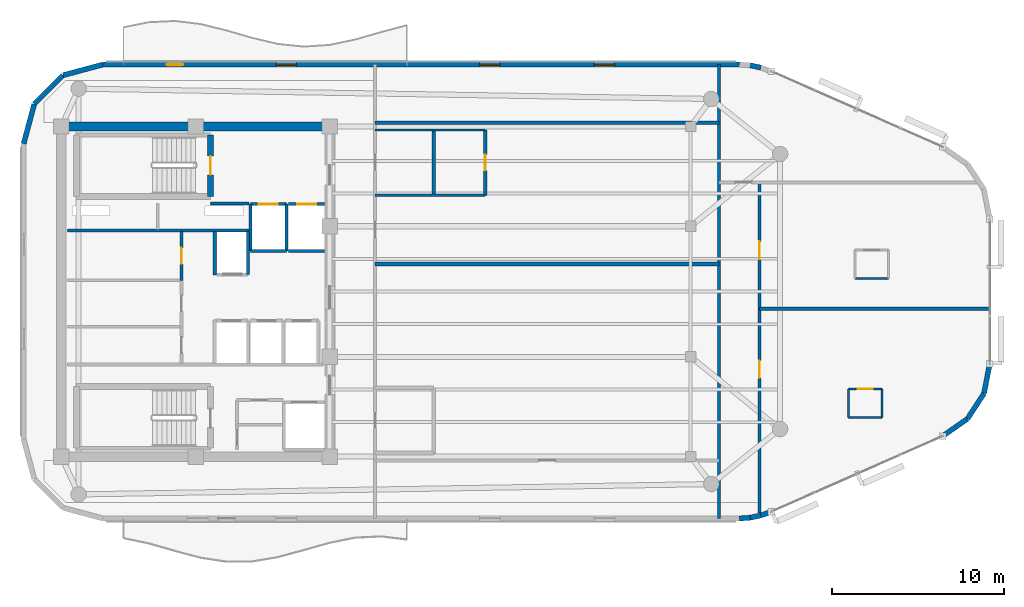
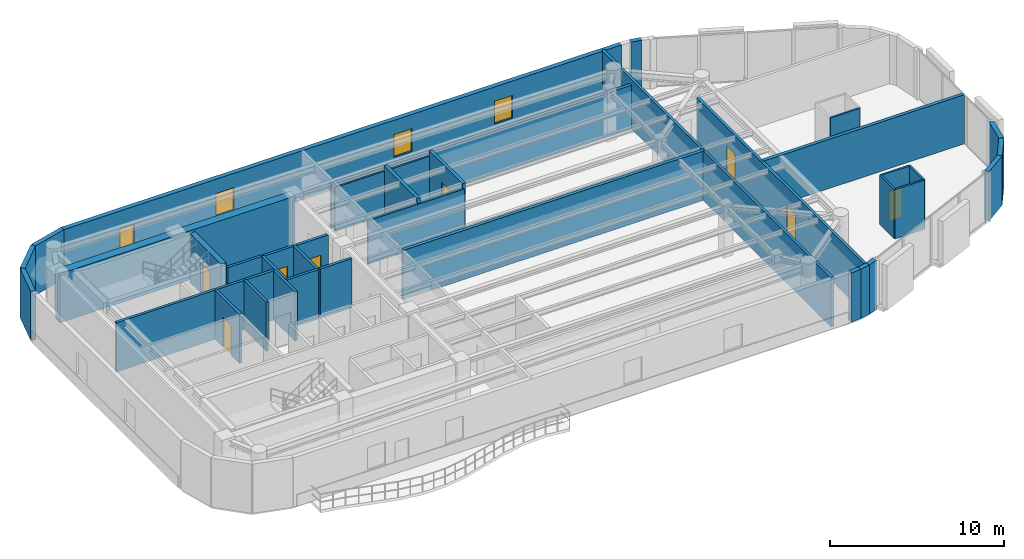
# One storey, part 9 of 12: 38 walls, 9 doors, 3 windows, 12 openings.
"""IFC4 building model written with IfcOpenShell, lengths in metres."""

from ifc_helpers import new_model, si_unit, direction, frame, frame_2d, origin, place, context, subcontext, project, spatial, rectangle, extrude, material, layer, layer_set, type_object, element, fill, save


model = new_model("IFC4")

# Units and contexts
model_context = context("Model", 3, precision=1e-05, world=origin(), true_north=direction((0.0, 1.0)))
body_context = subcontext(model_context, "Body", "Model", "MODEL_VIEW")
ifc_project = project(units=[si_unit("LENGTHUNIT", "METRE"), si_unit("AREAUNIT", "SQUARE_METRE"), si_unit("VOLUMEUNIT", "CUBIC_METRE"), si_unit("PLANEANGLEUNIT", "RADIAN"), si_unit("MASSUNIT", "GRAM", prefix="KILO")], contexts=[model_context])

# Site, building, storey
site_placement = place(None, origin())
site = spatial("IfcSite", under=ifc_project, at=site_placement, CompositionType="ELEMENT")
building_placement = place(site_placement, origin())
building = spatial("IfcBuilding", under=site, at=building_placement, Name="An Khanh Terracotta Commons", CompositionType="ELEMENT")
storey_placement = place(building_placement, frame((0.0, 0.0, 262.449951171875)))
storey = spatial("IfcBuildingStorey", under=building, at=storey_placement, Name="L68", CompositionType="ELEMENT", Elevation=262.449951171875)

# Walls
ifc_material_1 = material(Name="Concrete C50/60", Category="concrete")
ifc_layer_1 = layer(ifc_material_1, 0.550048828125, Name="Concrete C50/60")
ifc_layer_set_1 = layer_set([ifc_layer_1], Name="Concrete C50/60")
wall_type_1 = type_object("IfcWallType", Name="WALL-CORE-550", PredefinedType="SHEAR", material=ifc_layer_set_1)
wall_1_placement = place(storey_placement, frame((21.60009765625, 33.60009765625, 0.0), z_axis=(0.0, 0.0, 1.0), x_axis=(1.0, 0.0, 0.0)))
element("IfcWall", 1, at=wall_1_placement, inside=storey, type_object=wall_type_1, Name="L68 Core Wall CWALL-L68-N", PredefinedType="SHEAR", context=body_context, shape_type="SweptSolid", body=[
    extrude(rectangle(XDim=15.599853515625, YDim=0.550048828125, at=frame_2d((7.7998046875, 0.0))), origin(), (0.0, 0.0, 1.0), 3.449951171875),
])
ifc_material_2 = material(Name="Fire-Rated Gypsum Board on Steel Stud", Category="steel")
ifc_layer_2 = layer(ifc_material_2, 0.179931640625, Name="Fire-Rated Gypsum Board on Steel Stud")
ifc_layer_set_2 = layer_set([ifc_layer_2], Name="Fire-Rated Gypsum Board on Steel Stud")
wall_type_2 = type_object("IfcWallType", Name="WALL-CORR-180", PredefinedType="PARTITIONING", material=ifc_layer_set_2)
wall_2_placement = place(storey_placement, frame((30.27001953125, 29.1201171875, 0.0), z_axis=(0.0, 0.0, 1.0), x_axis=(1.0, 0.0, 0.0)))
element("IfcWall", 2, at=wall_2_placement, inside=storey, type_object=wall_type_2, Name="L68 Core Wall FFLW-L68-S", PredefinedType="PARTITIONING", context=body_context, shape_type="SweptSolid", body=[
    extrude(rectangle(XDim=2.239990234375, YDim=0.179931640625, at=frame_2d((1.1201171875, 0.0))), origin(), (0.0, 0.0, 1.0), 3.449951171875),
])
wall_3_placement = place(storey_placement, frame((21.949951171875, 27.5400390625, 0.0), z_axis=(0.0, 0.0, 1.0), x_axis=(1.0, 0.0, 0.0)))
element("IfcWall", 3, at=wall_3_placement, inside=storey, type_object=wall_type_2, Name="L68 Core Wall RSRW-L68-S", PredefinedType="PARTITIONING", context=body_context, shape_type="SweptSolid", body=[
    extrude(rectangle(XDim=10.56005859375, YDim=0.179931640625, at=frame_2d((5.280029296875, 0.0))), origin(), (0.0, 0.0, 1.0), 3.449951171875),
])

# Wall, opening, door
wall_4_placement = place(storey_placement, frame((32.60009765625, 29.080078125, 0.0), z_axis=(0.0, 0.0, 1.0), x_axis=(1.0, 0.0, 0.0)))
wall_4 = element("IfcWall", 4, at=wall_4_placement, inside=storey, type_object=wall_type_2, Name="L68 Core Wall LSH-L68-FFL-01-N", PredefinedType="PARTITIONING", context=body_context, shape_type="SweptSolid", body=[
    extrude(rectangle(XDim=2.079833984375, YDim=0.179931640625, at=frame_2d((1.0400390625, 0.0))), origin(), (0.0, 0.0, 1.0), 3.449951171875),
])
opening_1_placement = place(wall_4_placement, frame((0.489990234375, 0.0, 0.0)))
opening_1 = element("IfcOpeningElement", 5, at=opening_1_placement, cuts=wall_4, Name="Opening LD-FFL-01-L68", PredefinedType="OPENING", context=body_context, shape_type="SweptSolid", body=[
    extrude(rectangle(XDim=1.10009765625, YDim=2.199951171875, at=frame_2d((0.550048828125, 1.10009765625))), frame((0.0, 0.099853515625, 0.0), z_axis=(0.0, -1.0, 0.0), x_axis=(1.0, 0.0, 0.0)), (0.0, 0.0, 1.0), 0.199951171875),
])
ifc_material_3 = material(Name="Brushed Stainless Steel Fire Landing Door", Category="steel")
door_type_1 = type_object("IfcDoorType", Name="DOOR-LD-FFL-1100", OperationType="NOTDEFINED", PredefinedType="DOOR", material=ifc_material_3)
door_1_placement = place(opening_1_placement, origin())
door_1 = element("IfcDoor", 6, at=door_1_placement, inside=storey, type_object=door_type_1, Name="L68 Lift FFL-01 Sliding Landing Door", OperationType="DOUBLE_DOOR_SLIDING", OverallHeight=2.199951171875, OverallWidth=1.10009765625, PredefinedType="DOOR", context=body_context, shape_type="SweptSolid", body=[
    extrude(rectangle(XDim=1.10009765625, YDim=2.199951171875, at=frame_2d((0.550048828125, 1.10009765625))), frame((0.0, 0.02490234375, 0.0), z_axis=(0.0, -1.0, 0.0), x_axis=(1.0, 0.0, 0.0)), (0.0, 0.0, 1.0), 0.050048828125),
])
fill(opening_1, door_1)

# Walls
wall_5_placement = place(storey_placement, frame((34.679931640625, 26.35009765625, 0.0), z_axis=(0.0, 0.0, 1.0), x_axis=(-1.0, 0.0, 0.0)))
element("IfcWall", 7, at=wall_5_placement, inside=storey, type_object=wall_type_2, Name="L68 Core Wall LSH-L68-FFL-01-S", PredefinedType="PARTITIONING", context=body_context, shape_type="SweptSolid", body=[
    extrude(rectangle(XDim=2.079833984375, YDim=0.179931640625, at=frame_2d((1.0400390625, 0.0))), origin(), (0.0, 0.0, 1.0), 3.449951171875),
])
for number, where, z_axis, x_axis, name in (
    (8, (34.679931640625, 26.35009765625, 0.0), (0.0, 0.0, 1.0), (0.0, 1.0, 0.0), "L68 Core Wall LSH-L68-FFL-01-E"),
    (9, (32.60009765625, 29.080078125, 0.0), (0.0, 0.0, 1.0), (0.0, -1.0, 0.0), "L68 Core Wall LSH-L68-FFL-01-W"),
):
    element("IfcWall", number, at=place(storey_placement, frame(where, z_axis=z_axis, x_axis=x_axis)), inside=storey, type_object=wall_type_2, Name=name, PredefinedType="PARTITIONING", context=body_context, shape_type="SweptSolid", body=[
        extrude(rectangle(XDim=2.72998046875, YDim=0.179931640625, at=frame_2d((1.364990234375, 0.0))), origin(), (0.0, 0.0, 1.0), 3.449951171875),
    ])

# Wall, opening, door
wall_6_placement = place(storey_placement, frame((34.820068359375, 29.080078125, 0.0), z_axis=(0.0, 0.0, 1.0), x_axis=(1.0, 0.0, 0.0)))
wall_6 = element("IfcWall", 10, at=wall_6_placement, inside=storey, type_object=wall_type_2, Name="L68 Core Wall LSH-L68-FFL-02-N", PredefinedType="PARTITIONING", context=body_context, shape_type="SweptSolid", body=[
    extrude(rectangle(XDim=2.079833984375, YDim=0.179931640625, at=frame_2d((1.0400390625, 0.0))), origin(), (0.0, 0.0, 1.0), 3.449951171875),
])
opening_2_placement = place(wall_6_placement, frame((0.489990234375, 0.0, 0.0)))
opening_2 = element("IfcOpeningElement", 11, at=opening_2_placement, cuts=wall_6, Name="Opening LD-FFL-02-L68", PredefinedType="OPENING", context=body_context, shape_type="SweptSolid", body=[
    extrude(rectangle(XDim=1.10009765625, YDim=2.199951171875, at=frame_2d((0.550048828125, 1.10009765625))), frame((0.0, 0.099853515625, 0.0), z_axis=(0.0, -1.0, 0.0), x_axis=(1.0, 0.0, 0.0)), (0.0, 0.0, 1.0), 0.199951171875),
])
door_2_placement = place(opening_2_placement, origin())
door_2 = element("IfcDoor", 12, at=door_2_placement, inside=storey, type_object=door_type_1, Name="L68 Lift FFL-02 Sliding Landing Door", OperationType="DOUBLE_DOOR_SLIDING", OverallHeight=2.199951171875, OverallWidth=1.10009765625, PredefinedType="DOOR", context=body_context, shape_type="SweptSolid", body=[
    extrude(rectangle(XDim=1.10009765625, YDim=2.199951171875, at=frame_2d((0.550048828125, 1.10009765625))), frame((0.0, 0.02490234375, 0.0), z_axis=(0.0, -1.0, 0.0), x_axis=(1.0, 0.0, 0.0)), (0.0, 0.0, 1.0), 0.050048828125),
])
fill(opening_2, door_2)

# Walls
wall_7_placement = place(storey_placement, frame((36.89990234375, 26.35009765625, 0.0), z_axis=(0.0, 0.0, 1.0), x_axis=(-1.0, 0.0, 0.0)))
element("IfcWall", 13, at=wall_7_placement, inside=storey, type_object=wall_type_2, Name="L68 Core Wall LSH-L68-FFL-02-S", PredefinedType="PARTITIONING", context=body_context, shape_type="SweptSolid", body=[
    extrude(rectangle(XDim=2.079833984375, YDim=0.179931640625, at=frame_2d((1.0400390625, 0.0))), origin(), (0.0, 0.0, 1.0), 3.449951171875),
])
wall_8_placement = place(storey_placement, frame((32.4599609375, 25.0, 0.0), z_axis=(0.0, 0.0, 1.0), x_axis=(0.0, 1.0, 0.0)))
element("IfcWall", 14, at=wall_8_placement, inside=storey, type_object=wall_type_2, Name="L68 Core Wall LSH-L68-PL-H1-E", PredefinedType="PARTITIONING", context=body_context, shape_type="SweptSolid", body=[
    extrude(rectangle(XDim=2.5, YDim=0.179931640625, at=frame_2d((1.25, 0.0))), origin(), (0.0, 0.0, 1.0), 3.449951171875),
])
wall_9_placement = place(storey_placement, frame((30.52001953125, 24.949951171875, 0.0), z_axis=(0.0, 0.0, 1.0), x_axis=(0.0, 1.0, 0.0)))
element("IfcWall", 15, at=wall_9_placement, inside=storey, type_object=wall_type_2, Name="L68 Core Wall RECW-L68-BE1", PredefinedType="PARTITIONING", context=body_context, shape_type="SweptSolid", body=[
    extrude(rectangle(XDim=2.550048828125, YDim=0.179931640625, at=frame_2d((1.27490234375, 0.0))), origin(), (0.0, 0.0, 1.0), 3.449951171875),
])

# Wall, opening, door
wall_10_placement = place(storey_placement, frame((28.580078125, 24.64990234375, 0.0), z_axis=(0.0, 0.0, 1.0), x_axis=(0.0, 1.0, 0.0)))
wall_10 = element("IfcWall", 16, at=wall_10_placement, inside=storey, type_object=wall_type_2, Name="L68 Core Wall RECW-L68-E1", PredefinedType="PARTITIONING", context=body_context, shape_type="SweptSolid", body=[
    extrude(rectangle(XDim=2.85009765625, YDim=0.179931640625, at=frame_2d((1.425048828125, 0.0))), origin(), (0.0, 0.0, 1.0), 3.449951171875),
])
opening_3_placement = place(wall_10_placement, frame((0.965087890625, 0.0, 0.0)))
opening_3 = element("IfcOpeningElement", 17, at=opening_3_placement, cuts=wall_10, Name="Opening D-RM", PredefinedType="OPENING", context=body_context, shape_type="SweptSolid", body=[
    extrude(rectangle(XDim=0.919921875, YDim=2.10009765625, at=frame_2d((0.4599609375, 1.050048828125))), frame((0.0, 0.099853515625, 0.0), z_axis=(0.0, -1.0, 0.0), x_axis=(1.0, 0.0, 0.0)), (0.0, 0.0, 1.0), 0.199951171875),
])
ifc_material_4 = material(Name="Engineered Hardwood Timber Leaf", Category="wood")
door_type_2 = type_object("IfcDoorType", Name="DOOR-INT-920", OperationType="NOTDEFINED", PredefinedType="DOOR", material=ifc_material_4)
door_3_placement = place(opening_3_placement, origin())
door_3 = element("IfcDoor", 18, at=door_3_placement, inside=storey, type_object=door_type_2, Name="L68 Quiet Focus Pod Door", OperationType="SINGLE_SWING_LEFT", OverallHeight=2.10009765625, OverallWidth=0.919921875, PredefinedType="DOOR", context=body_context, shape_type="SweptSolid", body=[
    extrude(rectangle(XDim=0.919921875, YDim=2.10009765625, at=frame_2d((0.4599609375, 1.050048828125))), frame((0.0, 0.02490234375, 0.0), z_axis=(0.0, -1.0, 0.0), x_axis=(1.0, 0.0, 0.0)), (0.0, 0.0, 1.0), 0.050048828125),
])
fill(opening_3, door_3)

# Wall
wall_11_placement = place(storey_placement, frame((59.85009765625, 10.800048828125, 0.0), z_axis=(0.0, 0.0, 1.0), x_axis=(0.0, 1.0, 0.0)))
element("IfcWall", 19, at=wall_11_placement, inside=storey, type_object=wall_type_2, Name="L68 Interior Partition IW-L68-E014", PredefinedType="PARTITIONING", context=body_context, shape_type="SweptSolid", body=[
    extrude(rectangle(XDim=26.39990234375, YDim=0.179931640625, at=frame_2d((13.199951171875, 0.0))), origin(), (0.0, 0.0, 1.0), 3.449951171875),
])

# Wall, openings, doors
wall_12_placement = place(storey_placement, frame((62.199951171875, 11.1201171875, 0.0), z_axis=(0.0, 0.0, 1.0), x_axis=(0.0, 1.0, 0.0)))
wall_12 = element("IfcWall", 20, at=wall_12_placement, inside=storey, type_object=wall_type_2, Name="L68 Interior Partition IW-L68-E015", PredefinedType="PARTITIONING", context=body_context, shape_type="SweptSolid", body=[
    extrude(rectangle(XDim=19.22998046875, YDim=0.179931640625, at=frame_2d((9.614990234375, 0.0))), origin(), (0.0, 0.0, 1.0), 3.449951171875),
])
opening_4_placement = place(wall_12_placement, frame((14.794921875, 0.0, 0.0)))
opening_4 = element("IfcOpeningElement", 21, at=opening_4_placement, cuts=wall_12, Name="Opening D-UN", PredefinedType="OPENING", context=body_context, shape_type="SweptSolid", body=[
    extrude(rectangle(XDim=1.0, YDim=2.14990234375, at=frame_2d((0.5, 1.074951171875))), frame((0.0, 0.099853515625, 0.0), z_axis=(0.0, -1.0, 0.0), x_axis=(1.0, 0.0, 0.0)), (0.0, 0.0, 1.0), 0.199951171875),
])
opening_5_placement = place(wall_12_placement, frame((7.85595703125, 0.0, 0.0)))
opening_5 = element("IfcOpeningElement", 22, at=opening_5_placement, cuts=wall_12, Name="Opening D-UN", PredefinedType="OPENING", context=body_context, shape_type="SweptSolid", body=[
    extrude(rectangle(XDim=1.0, YDim=2.14990234375, at=frame_2d((0.5, 1.074951171875))), frame((0.0, 0.099853515625, 0.0), z_axis=(0.0, -1.0, 0.0), x_axis=(1.0, 0.0, 0.0)), (0.0, 0.0, 1.0), 0.199951171875),
])
ifc_material_5 = material(Name="Solid-Core Hardwood Acoustic Fire Door", Category="wood")
door_type_3 = type_object("IfcDoorType", Name="DOOR-UNIT-1000", OperationType="NOTDEFINED", PredefinedType="DOOR", material=ifc_material_5)
door_4_placement = place(opening_4_placement, origin())
door_4 = element("IfcDoor", 23, at=door_4_placement, inside=storey, type_object=door_type_3, Name="L68 ENO1 Kitchenette and Studio Apartment Door", OperationType="SINGLE_SWING_LEFT", OverallHeight=2.14990234375, OverallWidth=1.0, PredefinedType="DOOR", context=body_context, shape_type="SweptSolid", body=[
    extrude(rectangle(XDim=1.0, YDim=2.14990234375, at=frame_2d((0.5, 1.074951171875))), frame((0.0, 0.02490234375, 0.0), z_axis=(0.0, -1.0, 0.0), x_axis=(1.0, 0.0, 0.0)), (0.0, 0.0, 1.0), 0.050048828125),
])
fill(opening_4, door_4)
door_5_placement = place(opening_5_placement, origin())
door_5 = element("IfcDoor", 24, at=door_5_placement, inside=storey, type_object=door_type_3, Name="L68 ENO2 Kitchenette and Studio Apartment Door", OperationType="SINGLE_SWING_RIGHT", OverallHeight=2.14990234375, OverallWidth=1.0, PredefinedType="DOOR", context=body_context, shape_type="SweptSolid", body=[
    extrude(rectangle(XDim=1.0, YDim=2.14990234375, at=frame_2d((0.5, 1.074951171875))), frame((0.0, 0.02490234375, 0.0), z_axis=(0.0, -1.0, 0.0), x_axis=(1.0, 0.0, 0.0)), (0.0, 0.0, 1.0), 0.050048828125),
])
fill(opening_5, door_5)

# Walls
ifc_material_6 = material(Name="Precast concrete C40/50", Category="concrete")
ifc_layer_3 = layer(ifc_material_6, 0.300048828125, Name="Precast concrete C40/50")
ifc_layer_set_3 = layer_set([ifc_layer_3], Name="Precast concrete C40/50")
wall_type_3 = type_object("IfcWallType", Name="WALL-EXT-300", PredefinedType="SOLIDWALL", material=ifc_layer_set_3)
wall_13_placement = place(storey_placement, frame((61.030029296875, 10.800048828125, 0.0), z_axis=(0.0, 0.0, 1.0), x_axis=(0.997613959688, 0.069039028352, 0.0)))
element("IfcWall", 25, at=wall_13_placement, inside=storey, type_object=wall_type_3, Name="L68 Insulated Terracotta Exterior Wall 5", PredefinedType="SOLIDWALL", context=body_context, shape_type="SweptSolid", body=[
    extrude(rectangle(XDim=0.636474609375, YDim=0.300048828125, at=frame_2d((0.318359375, 0.0))), origin(), (0.0, 0.0, 1.0), 3.449951171875),
])
wall_14_placement = place(storey_placement, frame((61.6650390625, 10.843994140625, 0.0), z_axis=(0.0, 0.0, 1.0), x_axis=(0.97857012251, 0.205913854149, 0.0)))
element("IfcWall", 26, at=wall_14_placement, inside=storey, type_object=wall_type_3, Name="L68 Insulated Terracotta Exterior Wall 6", PredefinedType="SOLIDWALL", context=body_context, shape_type="SweptSolid", body=[
    extrude(rectangle(XDim=0.63671875, YDim=0.300048828125, at=frame_2d((0.318359375, 0.0))), origin(), (0.0, 0.0, 1.0), 3.449951171875),
])
wall_15_placement = place(storey_placement, frame((62.2880859375, 10.97509765625, 0.0), z_axis=(0.0, 0.0, 1.0), x_axis=(0.94077491148, 0.339031806665, 0.0)))
element("IfcWall", 27, at=wall_15_placement, inside=storey, type_object=wall_type_3, Name="L68 Insulated Terracotta Exterior Wall 7", PredefinedType="SOLIDWALL", context=body_context, shape_type="SweptSolid", body=[
    extrude(rectangle(XDim=0.636474609375, YDim=0.300048828125, at=frame_2d((0.318359375, 0.0))), origin(), (0.0, 0.0, 1.0), 3.449951171875),
])
wall_16_placement = place(storey_placement, frame((72.85693359375, 15.590087890625, 0.0), z_axis=(0.0, 0.0, 1.0), x_axis=(0.821006966142, 0.570918174124, 0.0)))
element("IfcWall", 28, at=wall_16_placement, inside=storey, type_object=wall_type_3, Name="L68 Insulated Terracotta Exterior Wall 9", PredefinedType="SOLIDWALL", context=body_context, shape_type="SweptSolid", body=[
    extrude(rectangle(XDim=1.760009765625, YDim=0.300048828125, at=frame_2d((0.8798828125, 0.0))), origin(), (0.0, 0.0, 1.0), 3.449951171875),
])
for number, where, z_axis, x_axis, name in (
    (29, (74.302001953125, 16.594970703125, 0.0), (0.0, 0.0, 1.0), (0.545836224831, 0.837891887813, 0.0), "L68 Insulated Terracotta Exterior Wall 10"),
    (30, (75.262939453125, 18.070068359375, 0.0), (0.0, 0.0, 1.0), (0.1915005851, 0.981492499159, 0.0), "L68 Insulated Terracotta Exterior Wall 11"),
):
    element("IfcWall", number, at=place(storey_placement, frame(where, z_axis=z_axis, x_axis=x_axis)), inside=storey, type_object=wall_type_3, Name=name, PredefinedType="SOLIDWALL", context=body_context, shape_type="SweptSolid", body=[
        extrude(rectangle(XDim=1.760498046875, YDim=0.300048828125, at=frame_2d((0.88037109375, 0.0))), origin(), (0.0, 0.0, 1.0), 3.449951171875),
    ])
wall_17_placement = place(storey_placement, frame((62.2880859375, 37.02490234375, 0.0), z_axis=(0.0, 0.0, 1.0), x_axis=(-0.97857012251, 0.205913854149, 0.0)))
element("IfcWall", 31, at=wall_17_placement, inside=storey, type_object=wall_type_3, Name="L68 Insulated Terracotta Exterior Wall 18", PredefinedType="SOLIDWALL", context=body_context, shape_type="SweptSolid", body=[
    extrude(rectangle(XDim=0.63671875, YDim=0.300048828125, at=frame_2d((0.318359375, 0.0))), origin(), (0.0, 0.0, 1.0), 3.449951171875),
])

# Wall, openings, door, windows
wall_18_placement = place(storey_placement, frame((61.030029296875, 37.199951171875, 0.0), z_axis=(0.0, 0.0, 1.0), x_axis=(-1.0, 0.0, 0.0)))
wall_18 = element("IfcWall", 32, at=wall_18_placement, inside=storey, type_object=wall_type_3, Name="L68 Insulated Terracotta Exterior Wall 20", PredefinedType="SOLIDWALL", context=body_context, shape_type="SweptSolid", body=[
    extrude(rectangle(XDim=37.030029296875, YDim=0.300048828125, at=frame_2d((18.51513671875, 0.0))), origin(), (0.0, 0.0, 1.0), 3.449951171875),
])
opening_6_placement = place(wall_18_placement, frame((32.35498046875, 0.0, 0.0)))
opening_6 = element("IfcOpeningElement", 33, at=opening_6_placement, cuts=wall_18, Name="Opening D-BAL", PredefinedType="OPENING", context=body_context, shape_type="SweptSolid", body=[
    extrude(rectangle(XDim=0.949951171875, YDim=2.199951171875, at=frame_2d((0.47509765625, 1.10009765625))), frame((0.0, 0.159912109375, 0.0), z_axis=(0.0, -1.0, 0.0), x_axis=(1.0, 0.0, 0.0)), (0.0, 0.0, 1.0), 0.320068359375),
])
opening_7_placement = place(wall_18_placement, frame((7.2470703125, 0.0, 0.85009765625)))
opening_7 = element("IfcOpeningElement", 34, at=opening_7_placement, cuts=wall_18, Name="Opening W-05", PredefinedType="OPENING", context=body_context, shape_type="SweptSolid", body=[
    extrude(rectangle(XDim=1.199951171875, YDim=1.60009765625, at=frame_2d((0.60009765625, 0.800048828125))), frame((0.0, 0.159912109375, 0.0), z_axis=(0.0, -1.0, 0.0), x_axis=(1.0, 0.0, 0.0)), (0.0, 0.0, 1.0), 0.320068359375),
])
opening_8_placement = place(wall_18_placement, frame((13.9130859375, 0.0, 0.85009765625)))
opening_8 = element("IfcOpeningElement", 35, at=opening_8_placement, cuts=wall_18, Name="Opening W-05", PredefinedType="OPENING", context=body_context, shape_type="SweptSolid", body=[
    extrude(rectangle(XDim=1.199951171875, YDim=1.60009765625, at=frame_2d((0.60009765625, 0.800048828125))), frame((0.0, 0.159912109375, 0.0), z_axis=(0.0, -1.0, 0.0), x_axis=(1.0, 0.0, 0.0)), (0.0, 0.0, 1.0), 0.320068359375),
])
opening_9_placement = place(wall_18_placement, frame((25.7470703125, 0.0, 0.85009765625)))
opening_9 = element("IfcOpeningElement", 36, at=opening_9_placement, cuts=wall_18, Name="Opening W-05", PredefinedType="OPENING", context=body_context, shape_type="SweptSolid", body=[
    extrude(rectangle(XDim=1.199951171875, YDim=1.60009765625, at=frame_2d((0.60009765625, 0.800048828125))), frame((0.0, 0.159912109375, 0.0), z_axis=(0.0, -1.0, 0.0), x_axis=(1.0, 0.0, 0.0)), (0.0, 0.0, 1.0), 0.320068359375),
])
ifc_material_7 = material(Name="Thermally Broken Aluminium and Low-E Glass", Category="aluminium")
door_type_4 = type_object("IfcDoorType", Name="DOOR-BALC-950", OperationType="NOTDEFINED", PredefinedType="DOOR", material=ifc_material_7)
door_6_placement = place(opening_6_placement, origin())
door_6 = element("IfcDoor", 37, at=door_6_placement, inside=storey, type_object=door_type_4, Name="L68 N Wave Balcony Glazed Door", OperationType="SINGLE_SWING_RIGHT", OverallHeight=2.199951171875, OverallWidth=0.949951171875, PredefinedType="DOOR", context=body_context, shape_type="SweptSolid", body=[
    extrude(rectangle(XDim=0.949951171875, YDim=2.199951171875, at=frame_2d((0.47509765625, 1.10009765625))), frame((0.0, 0.02490234375, 0.0), z_axis=(0.0, -1.0, 0.0), x_axis=(1.0, 0.0, 0.0)), (0.0, 0.0, 1.0), 0.050048828125),
])
fill(opening_6, door_6)
window_type = type_object("IfcWindowType", Name="WIN-Z5-1200x1600", PartitioningType="SINGLE_PANEL", PredefinedType="WINDOW", material=ifc_material_7)
window_1_placement = place(opening_7_placement, origin())
window_1 = element("IfcWindow", 38, at=window_1_placement, inside=storey, type_object=window_type, Name="L68 Operable Casement Window 20.1", OverallHeight=1.60009765625, OverallWidth=1.199951171875, PartitioningType="SINGLE_PANEL", PredefinedType="WINDOW", context=body_context, shape_type="SweptSolid", body=[
    extrude(rectangle(XDim=1.199951171875, YDim=1.60009765625, at=frame_2d((0.60009765625, 0.800048828125))), frame((0.0, 0.030029296875, 0.0), z_axis=(0.0, -1.0, 0.0), x_axis=(1.0, 0.0, 0.0)), (0.0, 0.0, 1.0), 0.06005859375),
])
fill(opening_7, window_1)
window_2_placement = place(opening_8_placement, origin())
window_2 = element("IfcWindow", 39, at=window_2_placement, inside=storey, type_object=window_type, Name="L68 Operable Casement Window 20.2", OverallHeight=1.60009765625, OverallWidth=1.199951171875, PartitioningType="SINGLE_PANEL", PredefinedType="WINDOW", context=body_context, shape_type="SweptSolid", body=[
    extrude(rectangle(XDim=1.199951171875, YDim=1.60009765625, at=frame_2d((0.60009765625, 0.800048828125))), frame((0.0, 0.030029296875, 0.0), z_axis=(0.0, -1.0, 0.0), x_axis=(1.0, 0.0, 0.0)), (0.0, 0.0, 1.0), 0.06005859375),
])
fill(opening_8, window_2)
window_3_placement = place(opening_9_placement, origin())
window_3 = element("IfcWindow", 40, at=window_3_placement, inside=storey, type_object=window_type, Name="L68 Operable Casement Window 20.3", OverallHeight=1.60009765625, OverallWidth=1.199951171875, PartitioningType="SINGLE_PANEL", PredefinedType="WINDOW", context=body_context, shape_type="SweptSolid", body=[
    extrude(rectangle(XDim=1.199951171875, YDim=1.60009765625, at=frame_2d((0.60009765625, 0.800048828125))), frame((0.0, 0.030029296875, 0.0), z_axis=(0.0, -1.0, 0.0), x_axis=(1.0, 0.0, 0.0)), (0.0, 0.0, 1.0), 0.06005859375),
])
fill(opening_9, window_3)

# Walls
wall_19_placement = place(storey_placement, frame((24.0, 37.199951171875, 0.0), z_axis=(0.0, 0.0, 1.0), x_axis=(-0.965960405575, -0.25868995895, 0.0)))
element("IfcWall", 41, at=wall_19_placement, inside=storey, type_object=wall_type_3, Name="L68 Insulated Terracotta Exterior Wall 21", PredefinedType="SOLIDWALL", context=body_context, shape_type="SweptSolid", body=[
    extrude(rectangle(XDim=2.381103515625, YDim=0.300048828125, at=frame_2d((1.1904296875, 0.0))), origin(), (0.0, 0.0, 1.0), 3.449951171875),
])
wall_20_placement = place(storey_placement, frame((21.699951171875, 36.583984375, 0.0), z_axis=(0.0, 0.0, 1.0), x_axis=(-0.707055521135, -0.707158037522, 0.0)))
element("IfcWall", 42, at=wall_20_placement, inside=storey, type_object=wall_type_3, Name="L68 Insulated Terracotta Exterior Wall 22", PredefinedType="SOLIDWALL", context=body_context, shape_type="SweptSolid", body=[
    extrude(rectangle(XDim=2.381591796875, YDim=0.300048828125, at=frame_2d((1.19091796875, 0.0))), origin(), (0.0, 0.0, 1.0), 3.449951171875),
])
wall_21_placement = place(storey_placement, frame((20.01611328125, 34.89990234375, 0.0), z_axis=(0.0, 0.0, 1.0), x_axis=(-0.258811258154, -0.965927912762, 0.0)))
element("IfcWall", 43, at=wall_21_placement, inside=storey, type_object=wall_type_3, Name="L68 Insulated Terracotta Exterior Wall 23", PredefinedType="SOLIDWALL", context=body_context, shape_type="SweptSolid", body=[
    extrude(rectangle(XDim=2.380859375, YDim=0.300048828125, at=frame_2d((1.1904296875, 0.0))), origin(), (0.0, 0.0, 1.0), 3.449951171875),
])
ifc_material_8 = material(Name="Acoustic Double-Stud Gypsum and Mineral Wool")
ifc_layer_4 = layer(ifc_material_8, 0.219970703125, Name="Acoustic Double-Stud Gypsum and Mineral Wool")
ifc_layer_set_4 = layer_set([ifc_layer_4], Name="Acoustic Double-Stud Gypsum and Mineral Wool")
wall_type_4 = type_object("IfcWallType", Name="WALL-PARTY-220", PredefinedType="PARTITIONING", material=ifc_layer_set_4)
wall_22_placement = place(storey_placement, frame((62.199951171875, 23.0, 0.0), z_axis=(0.0, 0.0, 1.0), x_axis=(1.0, 0.0, 0.0)))
element("IfcWall", 44, at=wall_22_placement, inside=storey, type_object=wall_type_4, Name="L68 Interior Partition IW-L68-E004", PredefinedType="PARTITIONING", context=body_context, shape_type="SweptSolid", body=[
    extrude(rectangle(XDim=13.400146484375, YDim=0.219970703125, at=frame_2d((6.7001953125, 0.0))), origin(), (0.0, 0.0, 1.0), 3.449951171875),
])
wall_23_placement = place(storey_placement, frame((39.85009765625, 25.60009765625, 0.0), z_axis=(0.0, 0.0, 1.0), x_axis=(1.0, 0.0, 0.0)))
element("IfcWall", 45, at=wall_23_placement, inside=storey, type_object=wall_type_4, Name="L68 Interior Partition IW-L68-E005", PredefinedType="PARTITIONING", context=body_context, shape_type="SweptSolid", body=[
    extrude(rectangle(XDim=20.0, YDim=0.219970703125, at=frame_2d((10.0, 0.0))), origin(), (0.0, 0.0, 1.0), 3.449951171875),
])
wall_24_placement = place(storey_placement, frame((39.85009765625, 33.820068359375, 0.0), z_axis=(0.0, 0.0, 1.0), x_axis=(1.0, 0.0, 0.0)))
element("IfcWall", 46, at=wall_24_placement, inside=storey, type_object=wall_type_4, Name="L68 Interior Partition IW-L68-E009", PredefinedType="PARTITIONING", context=body_context, shape_type="SweptSolid", body=[
    extrude(rectangle(XDim=20.0, YDim=0.219970703125, at=frame_2d((10.0, 0.0))), origin(), (0.0, 0.0, 1.0), 3.092041015625),
])
wall_25_placement = place(storey_placement, frame((43.25, 29.60009765625, 0.0), z_axis=(0.0, 0.0, 1.0), x_axis=(0.0, 1.0, 0.0)))
element("IfcWall", 47, at=wall_25_placement, inside=storey, type_object=wall_type_4, Name="L68 Interior Partition IW-L68-E012", PredefinedType="PARTITIONING", context=body_context, shape_type="SweptSolid", body=[
    extrude(rectangle(XDim=3.7998046875, YDim=0.219970703125, at=frame_2d((1.89990234375, 0.0))), origin(), (0.0, 0.0, 1.0), 3.449951171875),
])

# Wall, opening, door
wall_26_placement = place(storey_placement, frame((46.25, 29.60009765625, 0.0), z_axis=(0.0, 0.0, 1.0), x_axis=(0.0, 1.0, 0.0)))
wall_26 = element("IfcWall", 48, at=wall_26_placement, inside=storey, type_object=wall_type_4, Name="L68 Interior Partition IW-L68-E013", PredefinedType="PARTITIONING", context=body_context, shape_type="SweptSolid", body=[
    extrude(rectangle(XDim=3.7998046875, YDim=0.219970703125, at=frame_2d((1.89990234375, 0.0))), origin(), (0.0, 0.0, 1.0), 3.449951171875),
])
opening_10_placement = place(wall_26_placement, frame((1.43994140625, 0.0, 0.0)))
opening_10 = element("IfcOpeningElement", 49, at=opening_10_placement, cuts=wall_26, Name="Opening D-RM", PredefinedType="OPENING", context=body_context, shape_type="SweptSolid", body=[
    extrude(rectangle(XDim=0.919921875, YDim=2.10009765625, at=frame_2d((0.4599609375, 1.050048828125))), frame((0.0, 0.119873046875, 0.0), z_axis=(0.0, -1.0, 0.0), x_axis=(1.0, 0.0, 0.0)), (0.0, 0.0, 1.0), 0.239990234375),
])
door_7_placement = place(opening_10_placement, origin())
door_7 = element("IfcDoor", 50, at=door_7_placement, inside=storey, type_object=door_type_2, Name="L68 HKP Housekeeping Linen Store Door", OperationType="SINGLE_SWING_LEFT", OverallHeight=2.10009765625, OverallWidth=0.919921875, PredefinedType="DOOR", context=body_context, shape_type="SweptSolid", body=[
    extrude(rectangle(XDim=0.919921875, YDim=2.10009765625, at=frame_2d((0.4599609375, 1.050048828125))), frame((0.0, 0.02490234375, 0.0), z_axis=(0.0, -1.0, 0.0), x_axis=(1.0, 0.0, 0.0)), (0.0, 0.0, 1.0), 0.050048828125),
])
fill(opening_10, door_7)

ifc_layer_5 = layer(ifc_material_1, 0.35009765625, Name="Concrete C50/60")
ifc_layer_set_5 = layer_set([ifc_layer_5], Name="Concrete C50/60")
wall_type_5 = type_object("IfcWallType", Name="WALL-SHAFT-350", PredefinedType="SOLIDWALL", material=ifc_layer_set_5)
wall_27_placement = place(storey_placement, frame((30.27001953125, 29.530029296875, 0.0), z_axis=(0.0, 0.0, 1.0), x_axis=(0.0, 1.0, 0.0)))
wall_27 = element("IfcWall", 51, at=wall_27_placement, inside=storey, type_object=wall_type_5, Name="L68 Core Wall STW-L68-N-E", PredefinedType="SOLIDWALL", context=body_context, shape_type="SweptSolid", body=[
    extrude(rectangle(XDim=3.580078125, YDim=0.35009765625, at=frame_2d((1.7900390625, 0.0))), origin(), (0.0, 0.0, 1.0), 3.449951171875),
])
opening_11_placement = place(wall_27_placement, frame((1.25, 0.0, 0.0)))
opening_11 = element("IfcOpeningElement", 52, at=opening_11_placement, cuts=wall_27, Name="Opening D-ST", PredefinedType="OPENING", context=body_context, shape_type="SweptSolid", body=[
    extrude(rectangle(XDim=1.10009765625, YDim=2.14990234375, at=frame_2d((0.550048828125, 1.074951171875))), frame((0.0, 0.18505859375, 0.0), z_axis=(0.0, -1.0, 0.0), x_axis=(1.0, 0.0, 0.0)), (0.0, 0.0, 1.0), 0.3701171875),
])
ifc_material_9 = material(Name="Fire-Rated Steel Leaf and Frame", Category="steel")
door_type_5 = type_object("IfcDoorType", Name="DOOR-STAIR-1100", OperationType="NOTDEFINED", PredefinedType="DOOR", material=ifc_material_9)
door_8_placement = place(opening_11_placement, origin())
door_8 = element("IfcDoor", 53, at=door_8_placement, inside=storey, type_object=door_type_5, Name="L68 Stair ST-01 Fire Door", OperationType="SINGLE_SWING_LEFT", OverallHeight=2.14990234375, OverallWidth=1.10009765625, PredefinedType="DOOR", context=body_context, shape_type="SweptSolid", body=[
    extrude(rectangle(XDim=1.10009765625, YDim=2.14990234375, at=frame_2d((0.550048828125, 1.074951171875))), frame((0.0, 0.02490234375, 0.0), z_axis=(0.0, -1.0, 0.0), x_axis=(1.0, 0.0, 0.0)), (0.0, 0.0, 1.0), 0.050048828125),
])
fill(opening_11, door_8)

# Wall
ifc_material_10 = material(Name="Moisture-Resistant Cement Board Partition")
ifc_layer_6 = layer(ifc_material_10, 0.1201171875, Name="Moisture-Resistant Cement Board Partition")
ifc_layer_set_6 = layer_set([ifc_layer_6], Name="Moisture-Resistant Cement Board Partition")
wall_type_6 = type_object("IfcWallType", Name="WALL-WET-120", PredefinedType="PARTITIONING", material=ifc_layer_set_6)
wall_28_placement = place(storey_placement, frame((69.715087890625, 24.760986328125, 0.0), z_axis=(0.0, 0.0, 1.0), x_axis=(-1.0, 0.0, 0.0)))
element("IfcWall", 54, at=wall_28_placement, inside=storey, type_object=wall_type_6, Name="L68 Interior Partition IW-L68-ENO1-BS", PredefinedType="PARTITIONING", context=body_context, shape_type="SweptSolid", body=[
    extrude(rectangle(XDim=1.9501953125, YDim=0.1201171875, at=frame_2d((0.97509765625, 0.0))), origin(), (0.0, 0.0, 1.0), 3.449951171875),
])

# Wall, opening, door
wall_29_placement = place(storey_placement, frame((67.382080078125, 18.33203125, 0.0), z_axis=(0.0, 0.0, 1.0), x_axis=(1.0, 0.0, 0.0)))
wall_29 = element("IfcWall", 55, at=wall_29_placement, inside=storey, type_object=wall_type_6, Name="L68 Interior Partition IW-L68-ENO2-BN", PredefinedType="PARTITIONING", context=body_context, shape_type="SweptSolid", body=[
    extrude(rectangle(XDim=1.949951171875, YDim=0.1201171875, at=frame_2d((0.97509765625, 0.0))), origin(), (0.0, 0.0, 1.0), 3.449951171875),
])
opening_12_placement = place(wall_29_placement, frame((0.544921875, 0.0, 0.0)))
opening_12 = element("IfcOpeningElement", 56, at=opening_12_placement, cuts=wall_29, Name="Opening D-ENS", PredefinedType="OPENING", context=body_context, shape_type="SweptSolid", body=[
    extrude(rectangle(XDim=0.860107421875, YDim=2.10009765625, at=frame_2d((0.43017578125, 1.050048828125))), frame((0.0, 0.070068359375, 0.0), z_axis=(0.0, -1.0, 0.0), x_axis=(1.0, 0.0, 0.0)), (0.0, 0.0, 1.0), 0.14013671875),
])
ifc_material_11 = material(Name="Moisture-Resistant Hardwood Timber Leaf", Category="wood")
door_type_6 = type_object("IfcDoorType", Name="DOOR-BATH-860", OperationType="NOTDEFINED", PredefinedType="DOOR", material=ifc_material_11)
door_9_placement = place(opening_12_placement, origin())
door_9 = element("IfcDoor", 57, at=door_9_placement, inside=storey, type_object=door_type_6, Name="L68 Studio ENO2 En-suite Door", OperationType="SINGLE_SWING_LEFT", OverallHeight=2.10009765625, OverallWidth=0.860107421875, PredefinedType="DOOR", context=body_context, shape_type="SweptSolid", body=[
    extrude(rectangle(XDim=0.860107421875, YDim=2.10009765625, at=frame_2d((0.43017578125, 1.050048828125))), frame((0.0, 0.02490234375, 0.0), z_axis=(0.0, -1.0, 0.0), x_axis=(1.0, 0.0, 0.0)), (0.0, 0.0, 1.0), 0.050048828125),
])
fill(opening_12, door_9)

# Walls
wall_30_placement = place(storey_placement, frame((69.33203125, 16.681884765625, 0.0), z_axis=(0.0, 0.0, 1.0), x_axis=(-1.0, 0.0, 0.0)))
element("IfcWall", 58, at=wall_30_placement, inside=storey, type_object=wall_type_6, Name="L68 Interior Partition IW-L68-ENO2-BS", PredefinedType="PARTITIONING", context=body_context, shape_type="SweptSolid", body=[
    extrude(rectangle(XDim=1.949951171875, YDim=0.1201171875, at=frame_2d((0.97509765625, 0.0))), origin(), (0.0, 0.0, 1.0), 3.449951171875),
])
for number, where, z_axis, x_axis, name in (
    (59, (67.382080078125, 18.33203125, 0.0), (0.0, 0.0, 1.0), (0.0, -1.0, 0.0), "L68 Interior Partition IW-L68-ENO2-BW"),
    (60, (69.33203125, 16.681884765625, 0.0), (0.0, 0.0, 1.0), (0.0, 1.0, 0.0), "L68 Interior Partition IW-L68-ENO2-BE"),
):
    element("IfcWall", number, at=place(storey_placement, frame(where, z_axis=z_axis, x_axis=x_axis)), inside=storey, type_object=wall_type_6, Name=name, PredefinedType="PARTITIONING", context=body_context, shape_type="SweptSolid", body=[
        extrude(rectangle(XDim=1.650146484375, YDim=0.1201171875, at=frame_2d((0.8251953125, 0.0))), origin(), (0.0, 0.0, 1.0), 3.449951171875),
    ])
wall_31_placement = place(storey_placement, frame((39.85009765625, 29.60009765625, 0.0), z_axis=(0.0, 0.0, 1.0), x_axis=(1.0, 0.0, 0.0)))
element("IfcWall", 61, at=wall_31_placement, inside=storey, type_object=wall_type_6, Name="L68 Interior Partition IW-L68-E006", PredefinedType="PARTITIONING", context=body_context, shape_type="SweptSolid", body=[
    extrude(rectangle(XDim=6.39990234375, YDim=0.1201171875, at=frame_2d((3.199951171875, 0.0))), origin(), (0.0, 0.0, 1.0), 3.072021484375),
])
wall_32_placement = place(storey_placement, frame((39.85009765625, 33.39990234375, 0.0), z_axis=(0.0, 0.0, 1.0), x_axis=(1.0, 0.0, 0.0)))
element("IfcWall", 62, at=wall_32_placement, inside=storey, type_object=wall_type_6, Name="L68 Interior Partition IW-L68-E008", PredefinedType="PARTITIONING", context=body_context, shape_type="SweptSolid", body=[
    extrude(rectangle(XDim=6.39990234375, YDim=0.1201171875, at=frame_2d((3.199951171875, 0.0))), origin(), (0.0, 0.0, 1.0), 3.092041015625),
])

save(model, "model.ifc")
